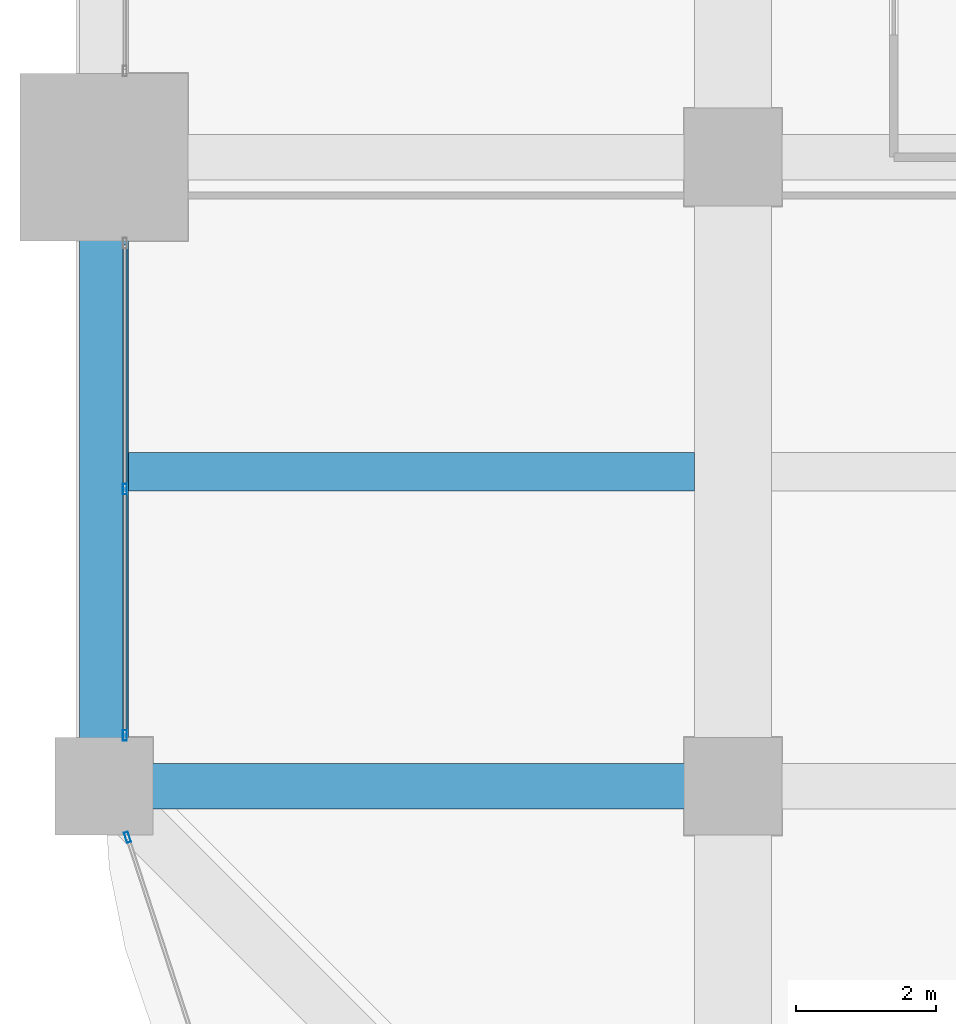
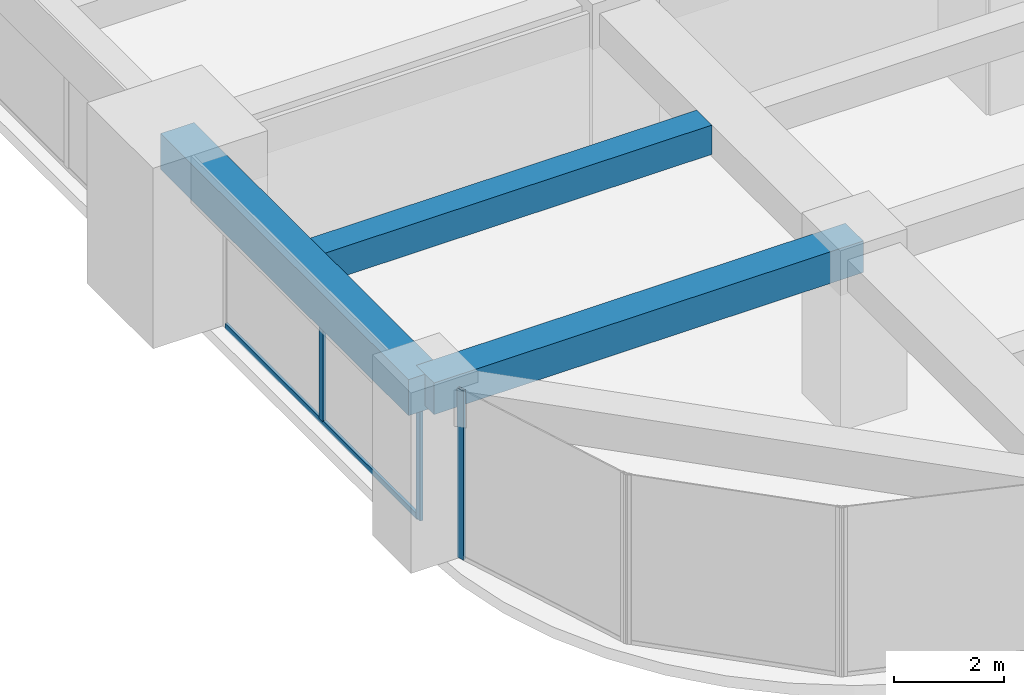
# One storey, part 4 of 32: 4 members, 3 beams, 2 elements without a shape of their own.
"""IFC4 building model written with IfcOpenShell, lengths in metres."""

from ifc_helpers import new_model, si_unit, direction, frame, origin, origin_2d, place, context, subcontext, project, spatial, rectangle, hollow_rectangle, extrude, material, material_profile, profile_set, type_object, element, aggregate, save


model = new_model("IFC4")

# Units and contexts
model_context = context("Model", 3, precision=1e-05, world=origin(), true_north=direction((0.0, 1.0)))
body_context = subcontext(model_context, "Body", "Model", "MODEL_VIEW")
ifc_project = project(units=[si_unit("LENGTHUNIT", "METRE"), si_unit("AREAUNIT", "SQUARE_METRE"), si_unit("VOLUMEUNIT", "CUBIC_METRE"), si_unit("PLANEANGLEUNIT", "RADIAN"), si_unit("MASSUNIT", "GRAM", prefix="KILO")], contexts=[model_context])

# Site, building, storey
site_placement = place(None, origin())
site = spatial("IfcSite", under=ifc_project, at=site_placement, CompositionType="ELEMENT")
building_placement = place(site_placement, origin())
building = spatial("IfcBuilding", under=site, at=building_placement, Name="Zorevar Civic Tower", CompositionType="ELEMENT")
storey_placement = place(building_placement, frame((0.0, 0.0, 198.199951171875)))
storey = spatial("IfcBuildingStorey", under=building, at=storey_placement, Name="L48", CompositionType="ELEMENT", Elevation=198.199951171875)

# Beams
ifc_material_1 = material(Name="Concrete C50/60", Category="concrete")
ifc_material_profile_1 = material_profile(ifc_material_1, rectangle(XDim=0.550048828125, YDim=0.64990234375, at=origin_2d()), Name="RC 550x650")
ifc_profile_set_1 = profile_set([ifc_material_profile_1], Name="Concrete C50/60")
beam_type_1 = type_object("IfcBeamType", Name="Beam RC 550x650", PredefinedType="BEAM", material=ifc_profile_set_1)
beam_1_placement = place(storey_placement, frame((0.35009765625, 13.5, 3.425048828125), z_axis=(1.0, 0.0, 0.0), x_axis=(0.0, 1.0, 0.0)))
element("IfcBeam", 1, at=beam_1_placement, inside=storey, type_object=beam_type_1, Name="Secondary beam L49", PredefinedType="BEAM", context=body_context, shape_type="SweptSolid", body=[
    extrude(rectangle(XDim=0.550048828125, YDim=0.64990234375, at=origin_2d()), origin(), (0.0, 0.0, 1.0), 8.099853515625),
])
ifc_material_2 = material(Name="Concrete C50/60", Category="concrete")
ifc_material_profile_2 = material_profile(ifc_material_2, rectangle(XDim=0.64990234375, YDim=0.699951171875, at=origin_2d()), Name="RC 650x700")
ifc_profile_set_2 = profile_set([ifc_material_profile_2], Name="Concrete C50/60")
beam_type_2 = type_object("IfcBeamType", Name="Beam RC 650x700", PredefinedType="BEAM", material=ifc_profile_set_2)
beam_2_placement = place(storey_placement, frame((0.0, 9.0, 3.400146484375), z_axis=(1.0, 0.0, 0.0), x_axis=(0.0, 1.0, 0.0)))
element("IfcBeam", 2, at=beam_2_placement, inside=storey, type_object=beam_type_2, Name="Girder L49", PredefinedType="BEAM", context=body_context, shape_type="SweptSolid", body=[
    extrude(rectangle(XDim=0.64990234375, YDim=0.699951171875, at=origin_2d()), origin(), (0.0, 0.0, 1.0), 9.0),
])

# Curtain wall, members
ifc_material_3 = material(Name="Dark grey solar-control glass in black aluminium frame", Category="aluminium")
curtain_wall_type = type_object("IfcCurtainWallType", Name="Curtain wall CW4 high zone", PredefinedType="NOTDEFINED", material=ifc_material_3)
curtain_wall_1_placement = place(storey_placement, origin())
curtain_wall_1 = element("IfcCurtainWall", 3, at=curtain_wall_1_placement, inside=storey, type_object=curtain_wall_type, Name="CW4 L48", PredefinedType="NOTDEFINED")
ifc_material_4 = material(Name="Aluminium, black anodised", Category="aluminium")
ifc_material_profile_3 = material_profile(ifc_material_4, hollow_rectangle(XDim=0.06005859375, YDim=0.14990234375, WallThickness=0.00390625, at=origin_2d()), Name="AL 150x60x4")
ifc_profile_set_3 = profile_set([ifc_material_profile_3], Name="Aluminium, black anodised")
member_type_1 = type_object("IfcMemberType", Name="CW4 mullion AL 150x60x4", PredefinedType="MULLION", material=ifc_profile_set_3)
member_1_placement = place(storey_placement, frame((0.300048828125, 9.72998046875, 0.0), z_axis=(0.0, 0.0, 1.0), x_axis=(-1.0, 0.0, 0.0)))
member_1 = element("IfcMember", 4, at=member_1_placement, type_object=member_type_1, Name="CW4 mullion 1", PredefinedType="MULLION", context=body_context, shape_type="SweptSolid", body=[
    extrude(hollow_rectangle(XDim=0.06005859375, YDim=0.14990234375, WallThickness=0.00390625, at=origin_2d()), origin(), (0.0, 0.0, 1.0), 2.949951171875),
])
member_2_placement = place(storey_placement, frame((0.300048828125, 13.25, 0.06005859375), z_axis=(0.0, 0.0, 1.0), x_axis=(-1.0, 0.0, 0.0)))
member_2 = element("IfcMember", 5, at=member_2_placement, type_object=member_type_1, Name="CW4 mullion 2", PredefinedType="MULLION", context=body_context, shape_type="SweptSolid", body=[
    extrude(hollow_rectangle(XDim=0.06005859375, YDim=0.14990234375, WallThickness=0.00390625, at=origin_2d()), origin(), (0.0, 0.0, 1.0), 2.889892578125),
])

# Curtain wall, member
curtain_wall_2_placement = place(storey_placement, origin())
curtain_wall_2 = element("IfcCurtainWall", 6, at=curtain_wall_2_placement, inside=storey, type_object=curtain_wall_type, Name="CW4 L48", PredefinedType="NOTDEFINED")
member_3_placement = place(storey_placement, frame((0.337646484375, 8.271484375, 0.0), z_axis=(0.0, 0.0, 1.0), x_axis=(0.950644749916, 0.310281419775, 0.0)))
member_3 = element("IfcMember", 7, at=member_3_placement, type_object=member_type_1, Name="CW4 mullion 1", PredefinedType="MULLION", context=body_context, shape_type="SweptSolid", body=[
    extrude(hollow_rectangle(XDim=0.06005859375, YDim=0.14990234375, WallThickness=0.00390625, at=origin_2d()), origin(), (0.0, 0.0, 1.0), 3.75),
])
aggregate(curtain_wall_2, [member_3])

# Member
ifc_material_5 = material(Name="Aluminium, black anodised", Category="aluminium")
ifc_material_profile_4 = material_profile(ifc_material_5, hollow_rectangle(XDim=0.06005859375, YDim=0.1201171875, WallThickness=0.0029296875, at=origin_2d()), Name="AL 120x60x3")
ifc_profile_set_4 = profile_set([ifc_material_profile_4], Name="Aluminium, black anodised")
member_type_2 = type_object("IfcMemberType", Name="CW4 transom AL 120x60x3", PredefinedType="USERDEFINED", material=ifc_profile_set_4)
member_4_placement = place(storey_placement, frame((0.300048828125, 9.760009765625, 0.030029296875), z_axis=(0.0, 1.0, 0.0), x_axis=(-1.0, 0.0, 0.0)))
member_4 = element("IfcMember", 8, at=member_4_placement, type_object=member_type_2, Name="CW4 sill transom", ObjectType="TRANSOM", PredefinedType="USERDEFINED", context=body_context, shape_type="SweptSolid", body=[
    extrude(hollow_rectangle(XDim=0.06005859375, YDim=0.1201171875, WallThickness=0.0029296875, at=origin_2d()), origin(), (0.0, 0.0, 1.0), 6.97998046875),
])

aggregate(curtain_wall_1, [member_1, member_2, member_4])

# Beam
ifc_material_6 = material(Name="Concrete C50/60", Category="concrete")
ifc_material_profile_5 = material_profile(ifc_material_6, rectangle(XDim=0.699951171875, YDim=0.800048828125, at=origin_2d()), Name="RC 700x800")
ifc_profile_set_5 = profile_set([ifc_material_profile_5], Name="Concrete C50/60")
beam_type_3 = type_object("IfcBeamType", Name="Edge beam RC 700x800", PredefinedType="SPANDREL", material=ifc_profile_set_5)
beam_3_placement = place(storey_placement, frame((0.0, 9.0, 3.35009765625), z_axis=(0.0, 1.0, 0.0), x_axis=(-1.0, 0.0, 0.0)))
element("IfcBeam", 9, at=beam_3_placement, inside=storey, type_object=beam_type_3, Name="Edge beam L49", PredefinedType="SPANDREL", context=body_context, shape_type="SweptSolid", body=[
    extrude(rectangle(XDim=0.699951171875, YDim=0.800048828125, at=origin_2d()), origin(), (0.0, 0.0, 1.0), 9.0),
])

save(model, "model.ifc")
